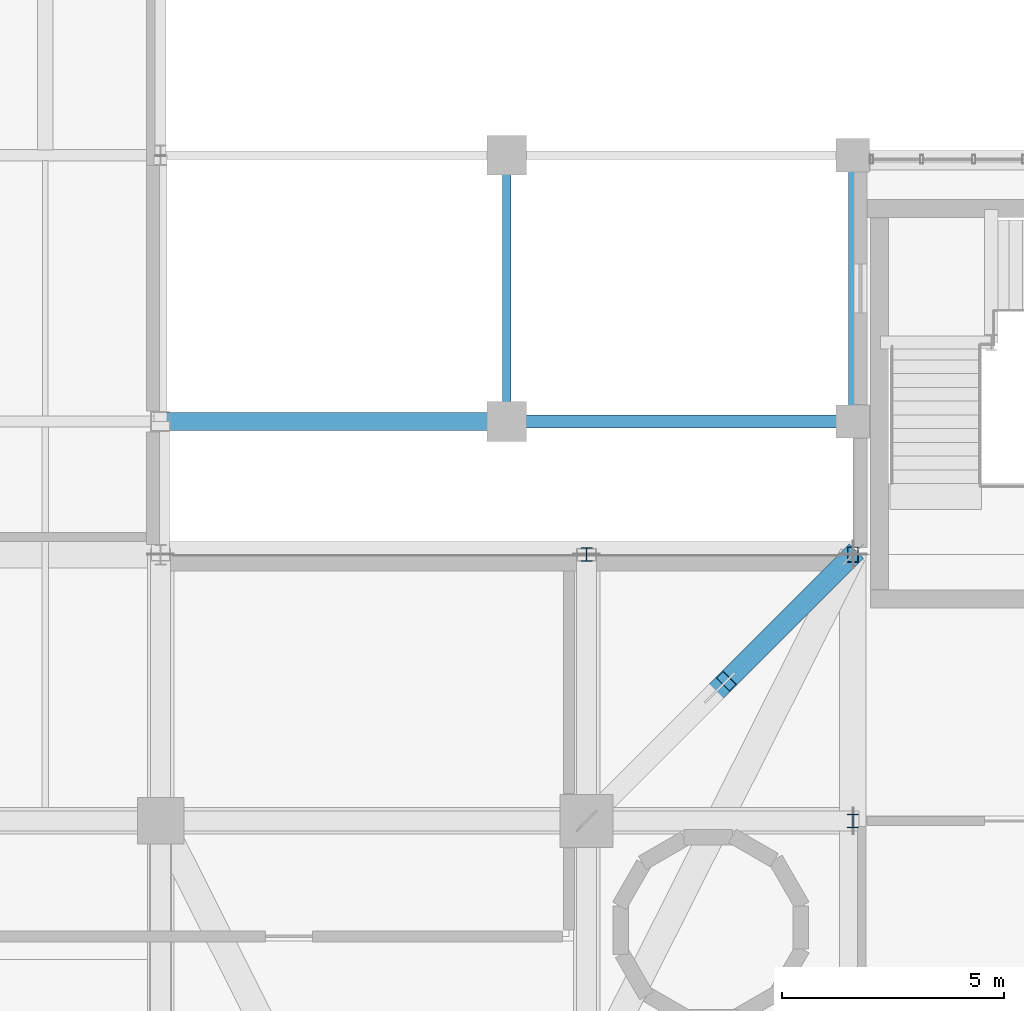
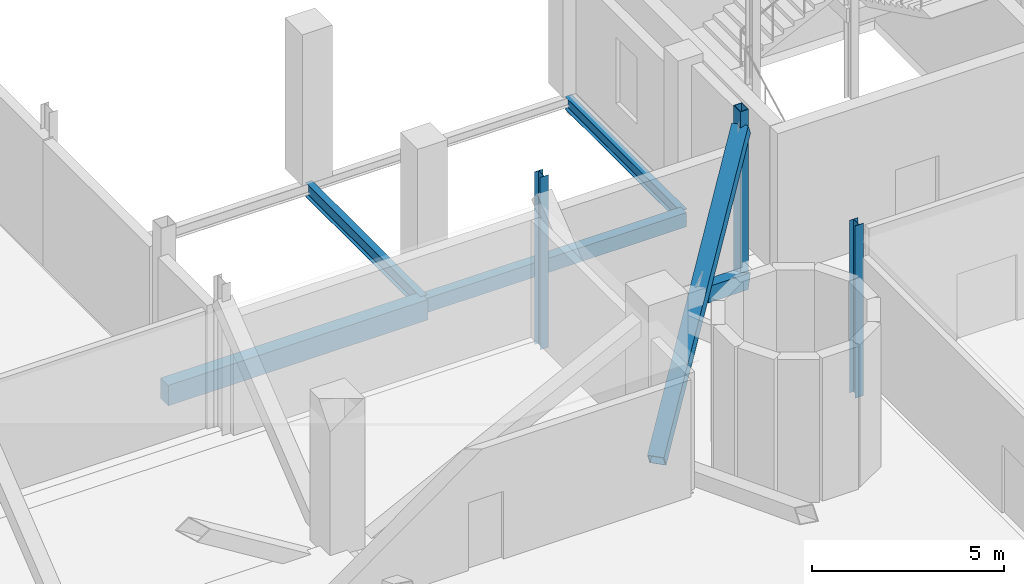
# One storey, part 60 of 127: 5 members, 4 beams.
"""IFC4 building model written with IfcOpenShell, lengths in metres."""

from ifc_helpers import new_model, si_unit, derived_unit, direction, frame, origin, origin_2d, place, context, subcontext, project, spatial, rectangle, hollow_rectangle, i_section, extrude, material, material_profile, profile_set, type_object, element, save


model = new_model("IFC4")

# Units and contexts
model_context = context("Model", 3, precision=1e-05, world=origin(), true_north=direction((0.0, 1.0)))
body_context = subcontext(model_context, "Body", "Model", "MODEL_VIEW")
ifc_project = project(units=[si_unit("LENGTHUNIT", "METRE"), si_unit("AREAUNIT", "SQUARE_METRE"), si_unit("VOLUMEUNIT", "CUBIC_METRE"), si_unit("PLANEANGLEUNIT", "RADIAN"), si_unit("MASSUNIT", "GRAM", prefix="KILO"), derived_unit("THERMALTRANSMITTANCEUNIT", [(si_unit("POWERUNIT", "WATT"), 1), (si_unit("LENGTHUNIT", "METRE"), -2), (si_unit("THERMODYNAMICTEMPERATUREUNIT", "KELVIN"), -1)])], contexts=[model_context])

# Site, building, storey
site_placement = place(None, origin())
site = spatial("IfcSite", under=ifc_project, at=site_placement, CompositionType="ELEMENT")
building_placement = place(site_placement, origin())
building = spatial("IfcBuilding", under=site, at=building_placement, Name="Nallur Shell Playhouse", CompositionType="ELEMENT")
storey_placement = place(building_placement, frame((0.0, 0.0, 5.39990234375)))
storey = spatial("IfcBuildingStorey", under=building, at=storey_placement, Name="L02", CompositionType="ELEMENT", Elevation=5.39990234375)

# Beams
ifc_material_1 = material(Name="Concrete M35", Category="concrete")
ifc_material_profile_1 = material_profile(ifc_material_1, rectangle(XDim=0.39990234375, YDim=0.64990234375, at=origin_2d()), Name="RC 400x650")
ifc_profile_set_1 = profile_set([ifc_material_profile_1], Name="Concrete M35")
beam_type_1 = type_object("IfcBeamType", Name="BM-RC-400x650", PredefinedType="BEAM", material=ifc_profile_set_1)
beam_1_placement = place(storey_placement, frame((103.0, 50.0, -0.60498046875), z_axis=(1.0, 0.0, 0.0), x_axis=(0.0, 1.0, 0.0)))
element("IfcBeam", 1, at=beam_1_placement, inside=storey, type_object=beam_type_1, Name="L02 girder X-F-351", PredefinedType="BEAM", context=body_context, shape_type="SweptSolid", body=[
    extrude(rectangle(XDim=0.39990234375, YDim=0.64990234375, at=origin_2d()), origin(), (0.0, 0.0, 1.0), 7.800048828125),
])
ifc_material_profile_2 = material_profile(ifc_material_1, rectangle(XDim=0.300048828125, YDim=0.449951171875, at=origin_2d()), Name="RC 300x450")
ifc_profile_set_2 = profile_set([ifc_material_profile_2], Name="Concrete M35")
beam_type_2 = type_object("IfcBeamType", Name="BM-SPN-300x450", PredefinedType="SPANDREL", material=ifc_profile_set_2)
beam_2_placement = place(storey_placement, frame((110.800048828125, 50.0, -0.5048828125), z_axis=(1.0, 0.0, 0.0), x_axis=(0.0, 1.0, 0.0)))
element("IfcBeam", 2, at=beam_2_placement, inside=storey, type_object=beam_type_2, Name="L02 girder X-F-352", PredefinedType="SPANDREL", context=body_context, shape_type="SweptSolid", body=[
    extrude(rectangle(XDim=0.300048828125, YDim=0.449951171875, at=origin_2d()), origin(), (0.0, 0.0, 1.0), 7.800048828125),
])
ifc_material_2 = material(Name="Steel E350", Category="steel")
ifc_material_profile_3 = material_profile(ifc_material_2, i_section(OverallWidth=0.199951171875, OverallDepth=0.39990234375, WebThickness=0.008544921875, FlangeThickness=0.012939453125, FilletRadius=0.012939453125, at=origin_2d()), Name="ISWB 400")
ifc_profile_set_3 = profile_set([ifc_material_profile_3], Name="Steel E350")
beam_type_3 = type_object("IfcBeamType", Name="BM-ST-ISWB400", PredefinedType="BEAM", material=ifc_profile_set_3)
beam_3_placement = place(storey_placement, frame((118.60009765625, 50.0, -0.47998046875), z_axis=(0.0, 1.0, 0.0), x_axis=(-1.0, 0.0, 0.0)))
element("IfcBeam", 3, at=beam_3_placement, inside=storey, type_object=beam_type_3, Name="L02 girder Y-15-453", PredefinedType="BEAM", context=body_context, shape_type="SweptSolid", body=[
    extrude(i_section(OverallWidth=0.199951171875, OverallDepth=0.39990234375, WebThickness=0.008544921875, FlangeThickness=0.012939453125, FilletRadius=0.012939453125, at=origin_2d()), origin(), (0.0, 0.0, 1.0), 6.0),
])
ifc_material_profile_4 = material_profile(ifc_material_2, i_section(OverallWidth=0.199951171875, OverallDepth=0.449951171875, WebThickness=0.00927734375, FlangeThickness=0.015380859375, FilletRadius=0.013916015625, at=origin_2d()), Name="ISWB 450")
ifc_profile_set_4 = profile_set([ifc_material_profile_4], Name="Steel E350")
beam_type_4 = type_object("IfcBeamType", Name="BM-ST-ISWB450", PredefinedType="BEAM", material=ifc_profile_set_4)
beam_4_placement = place(storey_placement, frame((110.800048828125, 50.0, -0.5048828125), z_axis=(0.0, 1.0, 0.0), x_axis=(-1.0, 0.0, 0.0)))
element("IfcBeam", 4, at=beam_4_placement, inside=storey, type_object=beam_type_4, Name="L02 girder Y-14-452", PredefinedType="BEAM", context=body_context, shape_type="SweptSolid", body=[
    extrude(i_section(OverallWidth=0.199951171875, OverallDepth=0.449951171875, WebThickness=0.00927734375, FlangeThickness=0.015380859375, FilletRadius=0.013916015625, at=origin_2d()), origin(), (0.0, 0.0, 1.0), 6.0),
])

# Members
ifc_material_profile_5 = material_profile(ifc_material_2, i_section(OverallWidth=0.25, OverallDepth=0.300048828125, WebThickness=0.009521484375, FlangeThickness=0.010498046875, FilletRadius=0.010986328125, at=origin_2d()), Name="ISHB 300")
ifc_profile_set_5 = profile_set([ifc_material_profile_5], Name="Steel E350")
member_type_1 = type_object("IfcMemberType", Name="MB-FASCIA-POST", PredefinedType="POST", material=ifc_profile_set_5)
for number, where, z_axis, x_axis, name in (
    (5, (112.60009765625, 47.0, -0.679931640625), (0.0, 0.0, 1.0), (1.0, 0.0, 0.0), "Cantilever truss fascia post POST-GB-L02-10"),
    (6, (118.60009765625, 41.0, -0.679931640625), (0.0, 0.0, 1.0), (1.0, 0.0, 0.0), "Cantilever truss fascia post POST-GB-L02-15"),
):
    element("IfcMember", number, at=place(storey_placement, frame(where, z_axis=z_axis, x_axis=x_axis)), inside=storey, type_object=member_type_1, Name=name, PredefinedType="POST", context=body_context, shape_type="SweptSolid", body=[
        extrude(i_section(OverallWidth=0.25, OverallDepth=0.300048828125, WebThickness=0.009521484375, FlangeThickness=0.010498046875, FilletRadius=0.010986328125, at=origin_2d()), origin(), (0.0, 0.0, 1.0), 5.47998046875),
    ])
ifc_material_profile_6 = material_profile(ifc_material_2, hollow_rectangle(XDim=0.25, YDim=0.35009765625, WallThickness=0.01611328125, at=origin_2d()), Name="RHS 350x250x16")
ifc_profile_set_6 = profile_set([ifc_material_profile_6], Name="Steel E350")
member_type_2 = type_object("IfcMemberType", Name="MB-FASCIA-RHS", PredefinedType="POST", material=ifc_profile_set_6)
member_1_placement = place(storey_placement, frame((118.60009765625, 47.0, -0.679931640625), z_axis=(0.0, 0.0, 1.0), x_axis=(1.0, 0.0, 0.0)))
element("IfcMember", 7, at=member_1_placement, inside=storey, type_object=member_type_2, Name="Cantilever truss fascia post POST-GB-L02-11", PredefinedType="POST", context=body_context, shape_type="SweptSolid", body=[
    extrude(hollow_rectangle(XDim=0.25, YDim=0.35009765625, WallThickness=0.01611328125, at=origin_2d()), origin(), (0.0, 0.0, 1.0), 5.47998046875),
])
ifc_material_profile_7 = material_profile(ifc_material_2, hollow_rectangle(XDim=0.449951171875, YDim=0.449951171875, WallThickness=0.02001953125, at=origin_2d()), Name="BOX 450x450x20")
ifc_profile_set_7 = profile_set([ifc_material_profile_7], Name="Steel E350")
member_type_3 = type_object("IfcMemberType", Name="MB-TT-DIAG", PredefinedType="BRACE", material=ifc_profile_set_7)
member_2_placement = place(storey_placement, frame((112.60009765625, 41.0, -0.679931640625), z_axis=(0.614833302554, 0.614833302554, 0.493923091322), x_axis=(-0.707106781187, 0.707106781187, 0.0)))
element("IfcMember", 8, at=member_2_placement, inside=storey, type_object=member_type_3, Name="Corner transfer TTC-NE continuous diagonal strut", PredefinedType="BRACE", context=body_context, shape_type="SweptSolid", body=[
    extrude(hollow_rectangle(XDim=0.449951171875, YDim=0.449951171875, WallThickness=0.02001953125, at=origin_2d()), origin(), (0.0, 0.0, 1.0), 9.7587890625),
])
member_3_placement = place(storey_placement, frame((115.74755859375, 44.147705078125, 1.611572265625), z_axis=(0.614857666209, 0.614805042307, -0.493927940349), x_axis=(-0.707076519625, 0.707137041453, 0.0)))
element("IfcMember", 9, at=member_3_placement, inside=storey, type_object=member_type_3, Name="Corner transfer TTC-NE split diagonal tie 2", PredefinedType="BRACE", context=body_context, shape_type="SweptSolid", body=[
    extrude(hollow_rectangle(XDim=0.449951171875, YDim=0.449951171875, WallThickness=0.02001953125, at=origin_2d()), origin(), (0.0, 0.0, 1.0), 4.639404296875),
])

save(model, "model.ifc")
